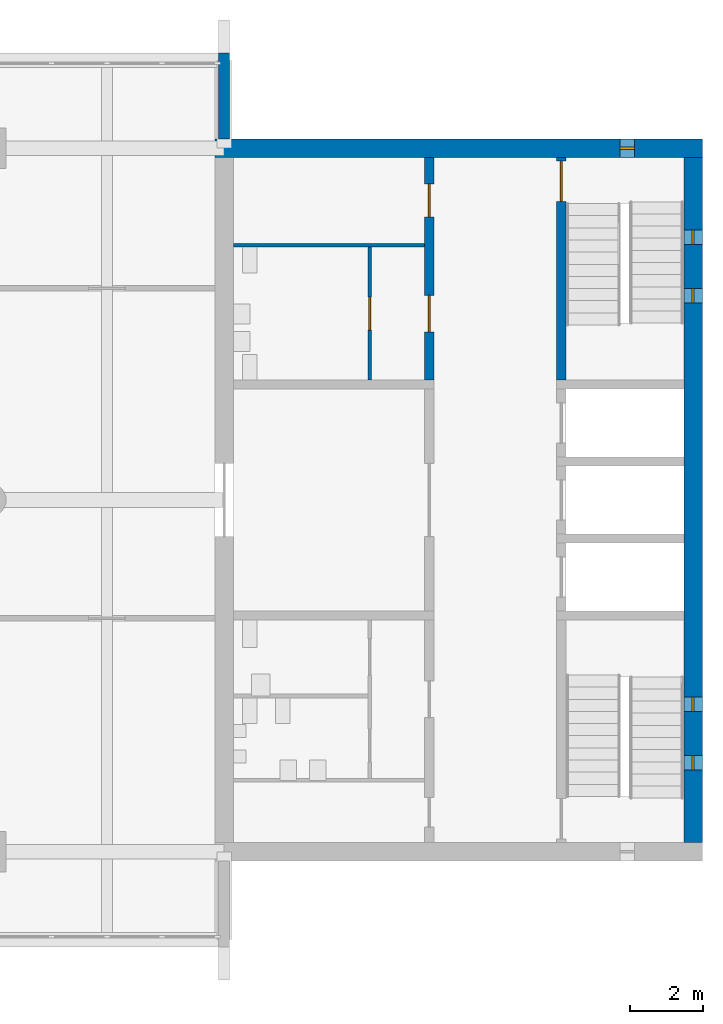
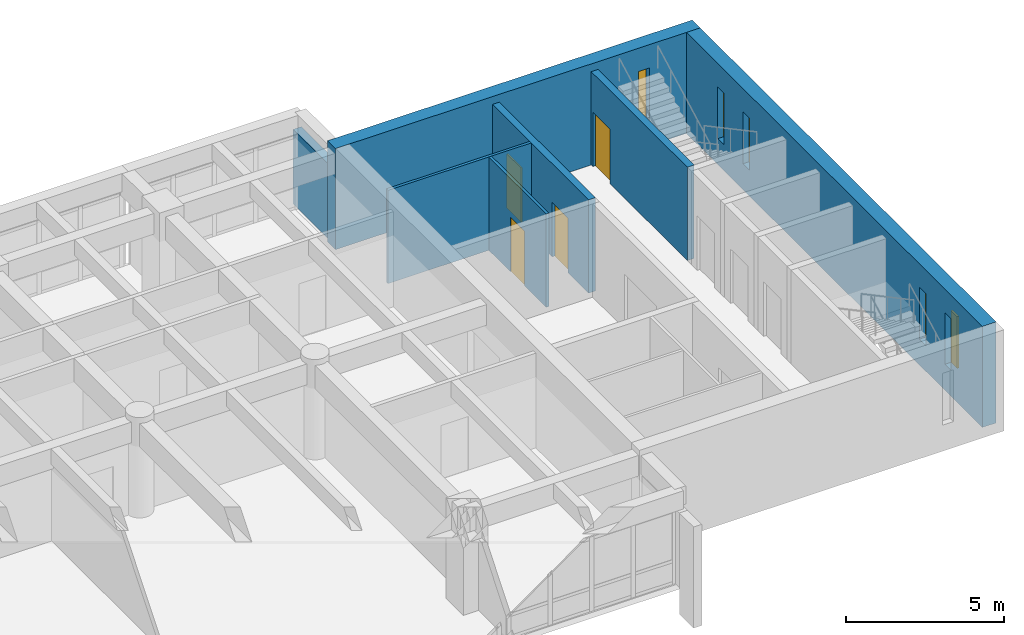
# One storey, part 12 of 15: 7 walls, 5 windows, 4 doors, 9 openings.
"""IFC4 building model written with IfcOpenShell, lengths in metres."""

import ifcopenshell
import ifcopenshell.guid

model = None  # the IFC model being written
_history = None  # IfcOwnerHistory: only IFC2X3 demands one
_inside = {}  # id of a spatial element -> (the spatial element, [elements in it])
_under = {}  # id of a project, library or spatial element -> (it, [spatial elements below it])
_declared = {}  # id of a project -> (the project, [libraries it declares])
_typed = {}  # id of a type object -> (the type object, [elements of that type])
_made_of = {}  # id of a material, layer set ... -> (it, [elements and type objects made of it])


def new_model(schema):
    """Start an empty IFC model of exactly this schema.

    Asked for "IFC4X3", IfcOpenShell would pick the latest addendum, in which some entities
    have other attributes; the version numbers below select the first issue.
    IFC2X3 requires an IfcOwnerHistory on every rooted entity: one is made here for all.
    """
    global model, _history
    if schema == "IFC4X3":
        model = ifcopenshell.file(schema_version=(4, 3, 0, 0))
    else:
        model = ifcopenshell.file(schema=schema)
    _inside.clear()
    _under.clear()
    _declared.clear()
    _typed.clear()
    _made_of.clear()
    _history = None
    if model.schema == "IFC2X3":
        org = make("IfcOrganization", Name="unknown")
        user = make(
            "IfcPersonAndOrganization",
            ThePerson=make("IfcPerson", FamilyName="unknown"),
            TheOrganization=org,
        )
        app = make(
            "IfcApplication",
            ApplicationDeveloper=org,
            Version="unknown",
            ApplicationFullName="unknown",
            ApplicationIdentifier="unknown",
        )
        _history = make(
            "IfcOwnerHistory",
            OwningUser=user,
            OwningApplication=app,
            ChangeAction="ADDED",
            CreationDate=0,
        )
    return model


def make(cls, **values):
    """One entity of the class cls with the attributes given. An attribute that is None is left unset."""
    return model.create_entity(
        cls, **{name: value for name, value in values.items() if value is not None}
    )


def rooted(cls, **values):
    """An entity with a GlobalId (a new one), such as an element, a storey or a relation."""
    return make(cls, GlobalId=ifcopenshell.guid.new(), OwnerHistory=_history, **values)


def si_unit(unit_type, name, prefix=None):
    """IfcSIUnit, for example si_unit("LENGTHUNIT", "METRE", prefix="MILLI")."""
    return make("IfcSIUnit", UnitType=unit_type, Prefix=prefix, Name=name)


def assignment(units):
    """IfcUnitAssignment: the units of a project."""
    return None if units is None else make("IfcUnitAssignment", Units=units)


def point(xyz):
    """IfcCartesianPoint."""
    return None if xyz is None else make("IfcCartesianPoint", Coordinates=xyz)


def direction(xyz):
    """IfcDirection."""
    return None if xyz is None else make("IfcDirection", DirectionRatios=xyz)


def frame(location, z_axis=None, x_axis=None):
    """IfcAxis2Placement3D, a coordinate frame: its origin and axes. An axis left out is left unset."""
    return make(
        "IfcAxis2Placement3D",
        Location=point(location),
        Axis=direction(z_axis),
        RefDirection=direction(x_axis),
    )


def frame_2d(location, x_axis=None):
    """IfcAxis2Placement2D, a coordinate frame in the plane: its origin and x axis."""
    return make(
        "IfcAxis2Placement2D", Location=point(location), RefDirection=direction(x_axis)
    )


def origin():
    """The frame at (0, 0, 0) with its axes left unset."""
    return frame((0.0, 0.0, 0.0))


def place(relative_to, where):
    """IfcLocalPlacement: puts the frame where relative to a parent placement (None: the world)."""
    return make(
        "IfcLocalPlacement", PlacementRelTo=relative_to, RelativePlacement=where
    )


def context(
    kind, dimensions, precision=None, world=None, true_north=None, identifier=None
):
    """IfcGeometricRepresentationContext, for example the 3D "Model" context."""
    return make(
        "IfcGeometricRepresentationContext",
        ContextIdentifier=identifier,
        ContextType=kind,
        CoordinateSpaceDimension=dimensions,
        Precision=precision,
        WorldCoordinateSystem=world,
        TrueNorth=true_north,
    )


def subcontext(parent, identifier, kind, view, scale=None):
    """IfcGeometricRepresentationSubContext, for example "Body" below "Model"."""
    return make(
        "IfcGeometricRepresentationSubContext",
        ContextIdentifier=identifier,
        ContextType=kind,
        ParentContext=parent,
        TargetScale=scale,
        TargetView=view,
    )


def project(units=None, contexts=None):
    """IfcProject with its units and contexts."""
    return rooted(
        "IfcProject",
        Name="project",
        RepresentationContexts=contexts,
        UnitsInContext=assignment(units),
    )


def spatial(cls, under=None, at=None, **own):
    """A site, building, storey or space (cls), placed at a placement, below another one or the project."""
    s = rooted(cls, ObjectPlacement=at, **own)
    if under is not None:
        _under.setdefault(under.id(), (under, []))[1].append(s)
    return s


def profile(cls, at=None, kind="AREA", **sizes):
    """A parametric profile (cls). Its sizes go by their IFC names, for example OverallWidth=200.0."""
    return make(cls, ProfileType=kind, Position=at, **sizes)


def rectangle(**sizes):
    """IfcRectangleProfileDef."""
    return profile("IfcRectangleProfileDef", **sizes)


def extrude(swept, where, along, depth):
    """IfcExtrudedAreaSolid: the profile swept, set in the frame where, extruded along a direction by depth."""
    return make(
        "IfcExtrudedAreaSolid",
        SweptArea=swept,
        Position=where,
        ExtrudedDirection=direction(along),
        Depth=depth,
    )


def shape(context_of_items, identifier, shape_type, items):
    """IfcShapeRepresentation: the items that make up one representation, for example the "Body"."""
    return make(
        "IfcShapeRepresentation",
        ContextOfItems=context_of_items,
        RepresentationIdentifier=identifier,
        RepresentationType=shape_type,
        Items=items,
    )


def material(Name=None, Category=None):
    """IfcMaterial."""
    return make("IfcMaterial", Name=Name, Category=Category)


def layer(
    of_material, thickness, ventilated=None, Name=None, Category=None, Priority=None
):
    """IfcMaterialLayer: one layer of a wall or slab, of a material (None: an air gap)."""
    return make(
        "IfcMaterialLayer",
        Material=of_material,
        LayerThickness=thickness,
        IsVentilated=ventilated,
        Name=Name,
        Category=Category,
        Priority=Priority,
    )


def layer_set(layers, Name=None):
    """IfcMaterialLayerSet."""
    return make("IfcMaterialLayerSet", MaterialLayers=layers, LayerSetName=Name)


def made_of(thing, what):
    """Note that an element or type object is made of a material, layer set ...; save() writes the relation."""
    if what is not None:
        _made_of.setdefault(what.id(), (what, []))[1].append(thing)
    return thing


def type_object(cls, material=None, **own):
    """A type object (cls), such as IfcWallType, which elements share."""
    return made_of(rooted(cls, **own), material)


def element(
    cls,
    number,
    at=None,
    inside=None,
    cuts=None,
    type_object=None,
    material=None,
    context=None,
    identifier="Body",
    shape_type=None,
    held_by="IfcProductDefinitionShape",
    body=None,
    shapes=None,
    **own,
):
    """One element of the class cls, such as IfcWall. Its Tag is "e" and its number.

    at: its placement. inside: the storey or other place that contains it. cuts: it is an
    opening in that element (IfcRelVoidsElement). A single representation is given by context,
    identifier, shape_type and body (its items); several are given by shapes. held_by: the class
    of the entity that holds the representations. save() writes the other relations.
    """
    e = rooted(cls, Tag="e%d" % number, ObjectPlacement=at, **own)
    if body is not None:
        shapes = [shape(context, identifier, shape_type, body)]
    if shapes is not None:
        e.Representation = make(held_by, Representations=shapes)
    if inside is not None:
        _inside.setdefault(inside.id(), (inside, []))[1].append(e)
    if cuts is not None:
        rooted(
            "IfcRelVoidsElement", RelatingBuildingElement=cuts, RelatedOpeningElement=e
        )
    if type_object is not None:
        _typed.setdefault(type_object.id(), (type_object, []))[1].append(e)
    return made_of(e, material)


def fill(opening, filler):
    """IfcRelFillsElement: the door or window that sits in an opening."""
    return rooted(
        "IfcRelFillsElement",
        RelatingOpeningElement=opening,
        RelatedBuildingElement=filler,
    )


def aggregate(whole, parts):
    """IfcRelAggregates: a whole, such as a stair, and the parts it consists of."""
    return rooted("IfcRelAggregates", RelatingObject=whole, RelatedObjects=parts)


def save(model, path):
    """Write the relations noted so far, then the file.

    IfcRelAggregates (storeys below a building ...), IfcRelContainedInSpatialStructure (elements
    in a storey), IfcRelDefinesByType, IfcRelAssociatesMaterial and IfcRelDeclares: one each for
    every whole, place, type object, material and project.
    """
    for whole, parts in _under.values():
        aggregate(whole, parts)
    for where, things in _inside.values():
        rooted(
            "IfcRelContainedInSpatialStructure",
            RelatedElements=things,
            RelatingStructure=where,
        )
    for kind, things in _typed.values():
        rooted("IfcRelDefinesByType", RelatedObjects=things, RelatingType=kind)
    for what, things in _made_of.values():
        rooted("IfcRelAssociatesMaterial", RelatedObjects=things, RelatingMaterial=what)
    for by, libraries in _declared.values():
        rooted("IfcRelDeclares", RelatingContext=by, RelatedDefinitions=libraries)
    model.write(path)


model = new_model("IFC4")

# Units and contexts
model_context = context("Model", 3, precision=1e-05, world=origin(), true_north=direction((0.0, 1.0)))
body_context = subcontext(model_context, "Body", "Model", "MODEL_VIEW")
ifc_project = project(units=[si_unit("LENGTHUNIT", "METRE"), si_unit("AREAUNIT", "SQUARE_METRE"), si_unit("VOLUMEUNIT", "CUBIC_METRE"), si_unit("PLANEANGLEUNIT", "RADIAN"), si_unit("MASSUNIT", "GRAM", prefix="KILO")], contexts=[model_context])

# Site, building, storey
site_placement = place(None, origin())
site = spatial("IfcSite", under=ifc_project, at=site_placement, CompositionType="ELEMENT")
building_placement = place(site_placement, origin())
building = spatial("IfcBuilding", under=site, at=building_placement, Name="Fogon Plaza Fire Station and Headquarters Tower", CompositionType="ELEMENT")
storey_placement = place(building_placement, frame((0.0, 0.0, 44.39990234375)))
storey = spatial("IfcBuildingStorey", under=building, at=storey_placement, Name="L11", CompositionType="ELEMENT", Elevation=44.39990234375)

# Wall, opening, door
ifc_material_1 = material(Name="Concrete C40", Category="concrete")
ifc_layer_1 = layer(ifc_material_1, 0.25)
ifc_layer_set_1 = layer_set([ifc_layer_1], Name="Concrete C40")
wall_type_1 = type_object("IfcWallType", Name="Core Wall RC 250", PredefinedType="SOLIDWALL", material=ifc_layer_set_1)
wall_1_placement = place(storey_placement, frame((73.199951171875, 46.47509765625, 0.0), z_axis=(0.0, 0.0, 1.0), x_axis=(0.0, 1.0, 0.0)))
wall_1 = element("IfcWall", 1, at=wall_1_placement, inside=storey, type_object=wall_type_1, Name="Core B shaft wall", PredefinedType="SOLIDWALL", context=body_context, shape_type="SweptSolid", body=[
    extrude(rectangle(XDim=6.074951171875, YDim=0.25, at=frame_2d((3.03759765625, 0.0))), origin(), (0.0, 0.0, 1.0), 3.60009765625),
])
opening_1_placement = place(wall_1_placement, frame((4.875, 0.0, 0.0)))
opening_1 = element("IfcOpeningElement", 2, at=opening_1_placement, cuts=wall_1, Name="Opening L11-D16", PredefinedType="OPENING", context=body_context, shape_type="SweptSolid", body=[
    extrude(rectangle(XDim=1.10009765625, YDim=2.10009765625, at=frame_2d((0.550048828125, 1.050048828125))), frame((0.0, 0.135009765625, 0.0), z_axis=(0.0, -1.0, 0.0), x_axis=(1.0, 0.0, 0.0)), (0.0, 0.0, 1.0), 0.27001953125),
])
ifc_material_2 = material(Name="Steel Fire Door Leaf", Category="steel")
door_type_1 = type_object("IfcDoorType", Name="Stair Door Single 1100x2100", OperationType="SINGLE_SWING_LEFT", PredefinedType="DOOR", material=ifc_material_2)
door_1_placement = place(opening_1_placement, frame((1.10009765625, 0.0, 0.0), z_axis=(0.0, 0.0, 1.0), x_axis=(-1.0, 0.0, 0.0)))
door_1 = element("IfcDoor", 3, at=door_1_placement, inside=storey, type_object=door_type_1, Name="Stair door ST4", OperationType="SINGLE_SWING_LEFT", OverallHeight=2.10009765625, OverallWidth=1.10009765625, PredefinedType="DOOR", context=body_context, shape_type="SweptSolid", body=[
    extrude(rectangle(XDim=1.10009765625, YDim=2.10009765625, at=frame_2d((0.550048828125, 1.050048828125))), frame((0.0, 0.02490234375, 0.0), z_axis=(0.0, -1.0, 0.0), x_axis=(1.0, 0.0, 0.0)), (0.0, 0.0, 1.0), 0.050048828125),
])
fill(opening_1, door_1)

# Wall, openings, doors
wall_2_placement = place(storey_placement, frame((69.60009765625, 46.47509765625, 0.0), z_axis=(0.0, 0.0, 1.0), x_axis=(0.0, 1.0, 0.0)))
wall_2 = element("IfcWall", 4, at=wall_2_placement, inside=storey, type_object=wall_type_1, Name="Core B shaft wall", PredefinedType="SOLIDWALL", context=body_context, shape_type="SweptSolid", body=[
    extrude(rectangle(XDim=6.074951171875, YDim=0.25, at=frame_2d((3.03759765625, 0.0))), origin(), (0.0, 0.0, 1.0), 3.60009765625),
])
opening_2_placement = place(wall_2_placement, frame((1.3125, 0.0, 0.0)))
opening_2 = element("IfcOpeningElement", 5, at=opening_2_placement, cuts=wall_2, Name="Opening L11-D26", PredefinedType="OPENING", context=body_context, shape_type="SweptSolid", body=[
    extrude(rectangle(XDim=1.0, YDim=2.10009765625, at=frame_2d((0.5, 1.050048828125))), frame((0.0, 0.135009765625, 0.0), z_axis=(0.0, -1.0, 0.0), x_axis=(1.0, 0.0, 0.0)), (0.0, 0.0, 1.0), 0.27001953125),
])
opening_3_placement = place(wall_2_placement, frame((4.449951171875, 0.0, 0.0)))
opening_3 = element("IfcOpeningElement", 6, at=opening_3_placement, cuts=wall_2, Name="Opening L11-D28", PredefinedType="OPENING", context=body_context, shape_type="SweptSolid", body=[
    extrude(rectangle(XDim=0.89990234375, YDim=2.10009765625, at=frame_2d((0.449951171875, 1.050048828125))), frame((0.0, 0.135009765625, 0.0), z_axis=(0.0, -1.0, 0.0), x_axis=(1.0, 0.0, 0.0)), (0.0, 0.0, 1.0), 0.27001953125),
])
ifc_material_3 = material(Name="Steel Fire Door Leaf", Category="steel")
door_type_2 = type_object("IfcDoorType", Name="Riser Single 900x2100", OperationType="SINGLE_SWING_LEFT", PredefinedType="DOOR", material=ifc_material_3)
door_2_placement = place(opening_3_placement, origin())
door_2 = element("IfcDoor", 7, at=door_2_placement, inside=storey, type_object=door_type_2, Name="Riser room B door", OperationType="SINGLE_SWING_RIGHT", OverallHeight=2.10009765625, OverallWidth=0.89990234375, PredefinedType="DOOR", context=body_context, shape_type="SweptSolid", body=[
    extrude(rectangle(XDim=0.89990234375, YDim=2.10009765625, at=frame_2d((0.449951171875, 1.050048828125))), frame((0.0, 0.02490234375, 0.0), z_axis=(0.0, -1.0, 0.0), x_axis=(1.0, 0.0, 0.0)), (0.0, 0.0, 1.0), 0.050048828125),
])
fill(opening_3, door_2)
ifc_material_4 = material(Name="Timber fire door", Category="wood")
door_type_3 = type_object("IfcDoorType", Name="WC Lobby Single 1000x2100", OperationType="SINGLE_SWING_LEFT", PredefinedType="DOOR", material=ifc_material_4)
door_3_placement = place(opening_2_placement, origin())
door_3 = element("IfcDoor", 8, at=door_3_placement, inside=storey, type_object=door_type_3, Name="Women's WC lobby B door", OperationType="SINGLE_SWING_RIGHT", OverallHeight=2.10009765625, OverallWidth=1.0, PredefinedType="DOOR", context=body_context, shape_type="SweptSolid", body=[
    extrude(rectangle(XDim=1.0, YDim=2.10009765625, at=frame_2d((0.5, 1.050048828125))), frame((0.0, 0.02490234375, 0.0), z_axis=(0.0, -1.0, 0.0), x_axis=(1.0, 0.0, 0.0)), (0.0, 0.0, 1.0), 0.050048828125),
])
fill(opening_2, door_3)

# Wall
ifc_material_5 = material(Name="Concrete C40", Category="concrete")
ifc_layer_2 = layer(ifc_material_5, 0.300048828125)
ifc_layer_set_2 = layer_set([ifc_layer_2], Name="Concrete C40")
wall_type_2 = type_object("IfcWallType", Name="Fair-faced RC Return Panel 300", PredefinedType="SOLIDWALL", material=ifc_layer_set_2)
wall_3_placement = place(storey_placement, frame((64.0, 53.050048828125, 0.0), z_axis=(0.0, 0.0, 1.0), x_axis=(0.0, 1.0, 0.0)))
element("IfcWall", 9, at=wall_3_placement, inside=storey, type_object=wall_type_2, Name="Bar end return EN L11", PredefinedType="SOLIDWALL", context=body_context, shape_type="SweptSolid", body=[
    extrude(rectangle(XDim=2.349853515625, YDim=0.300048828125, at=frame_2d((1.1748046875, 0.0))), origin(), (0.0, 0.0, 1.0), 2.880126953125),
])

# Wall, opening, door
ifc_material_6 = material(Name="Blockwork", Category="masonry")
ifc_layer_3 = layer(ifc_material_6, 0.10009765625)
ifc_layer_set_3 = layer_set([ifc_layer_3], Name="Blockwork")
wall_type_3 = type_object("IfcWallType", Name="Partition Blockwork 100", PredefinedType="PARTITIONING", material=ifc_layer_set_3)
wall_4_placement = place(storey_placement, frame((67.97509765625, 46.47509765625, 0.0), z_axis=(0.0, 0.0, 1.0), x_axis=(0.0, 1.0, 0.0)))
wall_4 = element("IfcWall", 10, at=wall_4_placement, inside=storey, type_object=wall_type_3, Name="WC block partition", PredefinedType="PARTITIONING", context=body_context, shape_type="SweptSolid", body=[
    extrude(rectangle(XDim=3.625, YDim=0.10009765625, at=frame_2d((1.8125, 0.0))), origin(), (0.0, 0.0, 1.0), 3.60009765625),
])
opening_4_placement = place(wall_4_placement, frame((1.362548828125, 0.0, 0.0)))
opening_4 = element("IfcOpeningElement", 11, at=opening_4_placement, cuts=wall_4, Name="Opening L11-D27", PredefinedType="OPENING", context=body_context, shape_type="SweptSolid", body=[
    extrude(rectangle(XDim=0.89990234375, YDim=2.10009765625, at=frame_2d((0.449951171875, 1.050048828125))), frame((0.0, 0.06005859375, 0.0), z_axis=(0.0, -1.0, 0.0), x_axis=(1.0, 0.0, 0.0)), (0.0, 0.0, 1.0), 0.1201171875),
])
ifc_material_7 = material(Name="Timber Door Leaf", Category="wood")
door_type_4 = type_object("IfcDoorType", Name="WC Single 900x2100", OperationType="SINGLE_SWING_LEFT", PredefinedType="DOOR", material=ifc_material_7)
door_4_placement = place(opening_4_placement, origin())
door_4 = element("IfcDoor", 12, at=door_4_placement, inside=storey, type_object=door_type_4, Name="Women's WC B door", OperationType="SINGLE_SWING_LEFT", OverallHeight=2.10009765625, OverallWidth=0.89990234375, PredefinedType="DOOR", context=body_context, shape_type="SweptSolid", body=[
    extrude(rectangle(XDim=0.89990234375, YDim=2.10009765625, at=frame_2d((0.449951171875, 1.050048828125))), frame((0.0, 0.02490234375, 0.0), z_axis=(0.0, -1.0, 0.0), x_axis=(1.0, 0.0, 0.0)), (0.0, 0.0, 1.0), 0.050048828125),
])
fill(opening_4, door_4)

# Wall
ifc_material_8 = material(Name="Blockwork", Category="masonry")
ifc_layer_4 = layer(ifc_material_8, 0.10009765625)
ifc_layer_set_4 = layer_set([ifc_layer_4], Name="Blockwork")
wall_type_4 = type_object("IfcWallType", Name="Riser Partition Blockwork 100", PredefinedType="PARTITIONING", material=ifc_layer_set_4)
wall_5_placement = place(storey_placement, frame((69.47509765625, 50.14990234375, 0.0), z_axis=(0.0, 0.0, 1.0), x_axis=(-1.0, 0.0, 0.0)))
element("IfcWall", 13, at=wall_5_placement, inside=storey, type_object=wall_type_4, Name="Riser room partition", PredefinedType="PARTITIONING", context=body_context, shape_type="SweptSolid", body=[
    extrude(rectangle(XDim=5.22509765625, YDim=0.10009765625, at=frame_2d((2.612548828125, 0.0))), origin(), (0.0, 0.0, 1.0), 3.60009765625),
])

# Wall, opening, window
ifc_material_9 = material(Name="Concrete C40", Category="concrete")
ifc_layer_5 = layer(ifc_material_9, 0.5)
ifc_layer_set_5 = layer_set([ifc_layer_5], Name="Concrete C40")
wall_type_5 = type_object("IfcWallType", Name="Shear wall 500 SW50", PredefinedType="SHEAR", material=ifc_layer_set_5)
wall_6_placement = place(storey_placement, frame((63.75, 52.800048828125, 0.0), z_axis=(0.0, 0.0, 1.0), x_axis=(1.0, 0.0, 0.0)))
wall_6 = element("IfcWall", 14, at=wall_6_placement, inside=storey, type_object=wall_type_5, Name="wall-coreB-N-L11", PredefinedType="SHEAR", context=body_context, shape_type="SweptSolid", body=[
    extrude(rectangle(XDim=13.300048828125, YDim=0.5, at=frame_2d((6.64990234375, 0.0))), origin(), (0.0, 0.0, 1.0), 3.900146484375),
])
opening_5_placement = place(wall_6_placement, frame((11.050048828125, 0.0, 1.0)))
opening_5 = element("IfcOpeningElement", 15, at=opening_5_placement, cuts=wall_6, Name="Opening WS1", PredefinedType="OPENING", context=body_context, shape_type="SweptSolid", body=[
    extrude(rectangle(XDim=0.39990234375, YDim=2.0, at=frame_2d((0.199951171875, 1.0))), frame((0.0, 0.260009765625, 0.0), z_axis=(0.0, -1.0, 0.0), x_axis=(1.0, 0.0, 0.0)), (0.0, 0.0, 1.0), 0.52001953125),
])
ifc_material_10 = material(Name="Aluminium framed double glazing", Category="aluminium")
window_type = type_object("IfcWindowType", Name="Slit Window WS1 400x2000", PartitioningType="SINGLE_PANEL", PredefinedType="WINDOW", material=ifc_material_10)
window_1_placement = place(opening_5_placement, origin())
window_1 = element("IfcWindow", 16, at=window_1_placement, inside=storey, type_object=window_type, Name="Slit window B6 L11", OverallHeight=2.0, OverallWidth=0.39990234375, PartitioningType="SINGLE_PANEL", PredefinedType="WINDOW", context=body_context, shape_type="SweptSolid", body=[
    extrude(rectangle(XDim=0.39990234375, YDim=2.0, at=frame_2d((0.199951171875, 1.0))), frame((0.0, 0.030029296875, 0.0), z_axis=(0.0, -1.0, 0.0), x_axis=(1.0, 0.0, 0.0)), (0.0, 0.0, 1.0), 0.06005859375),
])
fill(opening_5, window_1)

# Wall, openings, windows
wall_7_placement = place(storey_placement, frame((76.800048828125, 33.85009765625, 0.0), z_axis=(0.0, 0.0, 1.0), x_axis=(0.0, 1.0, 0.0)))
wall_7 = element("IfcWall", 17, at=wall_7_placement, inside=storey, type_object=wall_type_5, Name="wall-coreB-E-L11", PredefinedType="SHEAR", context=body_context, shape_type="SweptSolid", body=[
    extrude(rectangle(XDim=18.699951171875, YDim=0.5, at=frame_2d((9.35009765625, 0.0))), origin(), (0.0, 0.0, 1.0), 3.900146484375),
])
opening_6_placement = place(wall_7_placement, frame((1.97509765625, 0.0, 1.0)))
opening_6 = element("IfcOpeningElement", 18, at=opening_6_placement, cuts=wall_7, Name="Opening WS1", PredefinedType="OPENING", context=body_context, shape_type="SweptSolid", body=[
    extrude(rectangle(XDim=0.39990234375, YDim=2.0, at=frame_2d((0.199951171875, 1.0))), frame((0.0, 0.260009765625, 0.0), z_axis=(0.0, -1.0, 0.0), x_axis=(1.0, 0.0, 0.0)), (0.0, 0.0, 1.0), 0.52001953125),
])
opening_7_placement = place(wall_7_placement, frame((3.574951171875, 0.0, 1.0)))
opening_7 = element("IfcOpeningElement", 19, at=opening_7_placement, cuts=wall_7, Name="Opening WS1", PredefinedType="OPENING", context=body_context, shape_type="SweptSolid", body=[
    extrude(rectangle(XDim=0.39990234375, YDim=2.0, at=frame_2d((0.199951171875, 1.0))), frame((0.0, 0.260009765625, 0.0), z_axis=(0.0, -1.0, 0.0), x_axis=(1.0, 0.0, 0.0)), (0.0, 0.0, 1.0), 0.52001953125),
])
opening_8_placement = place(wall_7_placement, frame((14.72509765625, 0.0, 1.0)))
opening_8 = element("IfcOpeningElement", 20, at=opening_8_placement, cuts=wall_7, Name="Opening WS1", PredefinedType="OPENING", context=body_context, shape_type="SweptSolid", body=[
    extrude(rectangle(XDim=0.39990234375, YDim=2.0, at=frame_2d((0.199951171875, 1.0))), frame((0.0, 0.260009765625, 0.0), z_axis=(0.0, -1.0, 0.0), x_axis=(1.0, 0.0, 0.0)), (0.0, 0.0, 1.0), 0.52001953125),
])
opening_9_placement = place(wall_7_placement, frame((16.324951171875, 0.0, 1.0)))
opening_9 = element("IfcOpeningElement", 21, at=opening_9_placement, cuts=wall_7, Name="Opening WS1", PredefinedType="OPENING", context=body_context, shape_type="SweptSolid", body=[
    extrude(rectangle(XDim=0.39990234375, YDim=2.0, at=frame_2d((0.199951171875, 1.0))), frame((0.0, 0.260009765625, 0.0), z_axis=(0.0, -1.0, 0.0), x_axis=(1.0, 0.0, 0.0)), (0.0, 0.0, 1.0), 0.52001953125),
])
window_2_placement = place(opening_6_placement, origin())
window_2 = element("IfcWindow", 22, at=window_2_placement, inside=storey, type_object=window_type, Name="Slit window B1 L11", OverallHeight=2.0, OverallWidth=0.39990234375, PartitioningType="SINGLE_PANEL", PredefinedType="WINDOW", context=body_context, shape_type="SweptSolid", body=[
    extrude(rectangle(XDim=0.39990234375, YDim=2.0, at=frame_2d((0.199951171875, 1.0))), frame((0.0, 0.030029296875, 0.0), z_axis=(0.0, -1.0, 0.0), x_axis=(1.0, 0.0, 0.0)), (0.0, 0.0, 1.0), 0.06005859375),
])
fill(opening_6, window_2)
window_3_placement = place(opening_7_placement, origin())
window_3 = element("IfcWindow", 23, at=window_3_placement, inside=storey, type_object=window_type, Name="Slit window B2 L11", OverallHeight=2.0, OverallWidth=0.39990234375, PartitioningType="SINGLE_PANEL", PredefinedType="WINDOW", context=body_context, shape_type="SweptSolid", body=[
    extrude(rectangle(XDim=0.39990234375, YDim=2.0, at=frame_2d((0.199951171875, 1.0))), frame((0.0, 0.030029296875, 0.0), z_axis=(0.0, -1.0, 0.0), x_axis=(1.0, 0.0, 0.0)), (0.0, 0.0, 1.0), 0.06005859375),
])
fill(opening_7, window_3)
window_4_placement = place(opening_8_placement, origin())
window_4 = element("IfcWindow", 24, at=window_4_placement, inside=storey, type_object=window_type, Name="Slit window B3 L11", OverallHeight=2.0, OverallWidth=0.39990234375, PartitioningType="SINGLE_PANEL", PredefinedType="WINDOW", context=body_context, shape_type="SweptSolid", body=[
    extrude(rectangle(XDim=0.39990234375, YDim=2.0, at=frame_2d((0.199951171875, 1.0))), frame((0.0, 0.030029296875, 0.0), z_axis=(0.0, -1.0, 0.0), x_axis=(1.0, 0.0, 0.0)), (0.0, 0.0, 1.0), 0.06005859375),
])
fill(opening_8, window_4)
window_5_placement = place(opening_9_placement, origin())
window_5 = element("IfcWindow", 25, at=window_5_placement, inside=storey, type_object=window_type, Name="Slit window B4 L11", OverallHeight=2.0, OverallWidth=0.39990234375, PartitioningType="SINGLE_PANEL", PredefinedType="WINDOW", context=body_context, shape_type="SweptSolid", body=[
    extrude(rectangle(XDim=0.39990234375, YDim=2.0, at=frame_2d((0.199951171875, 1.0))), frame((0.0, 0.030029296875, 0.0), z_axis=(0.0, -1.0, 0.0), x_axis=(1.0, 0.0, 0.0)), (0.0, 0.0, 1.0), 0.06005859375),
])
fill(opening_9, window_5)

save(model, "model.ifc")
